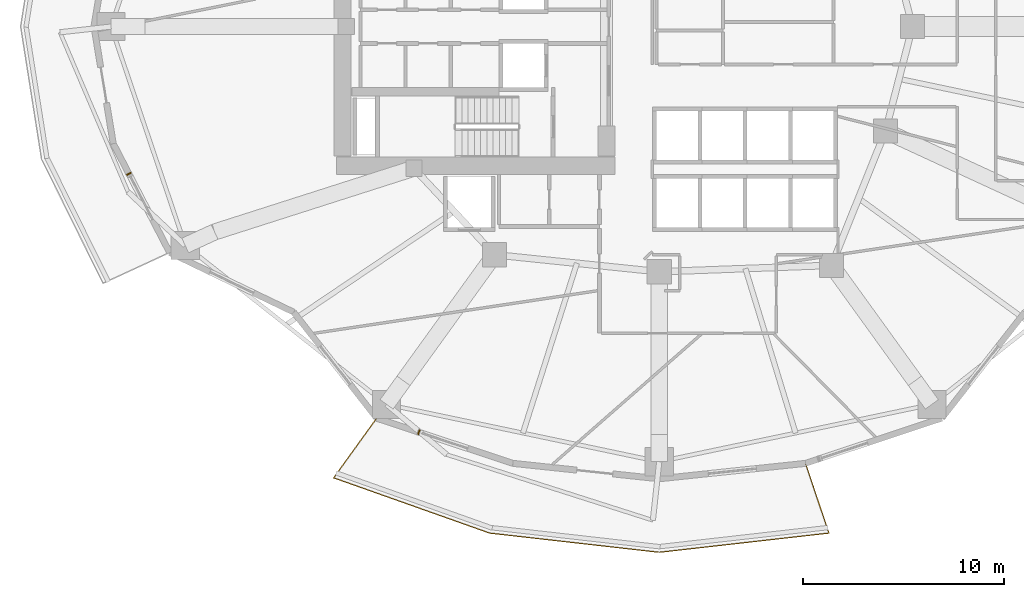
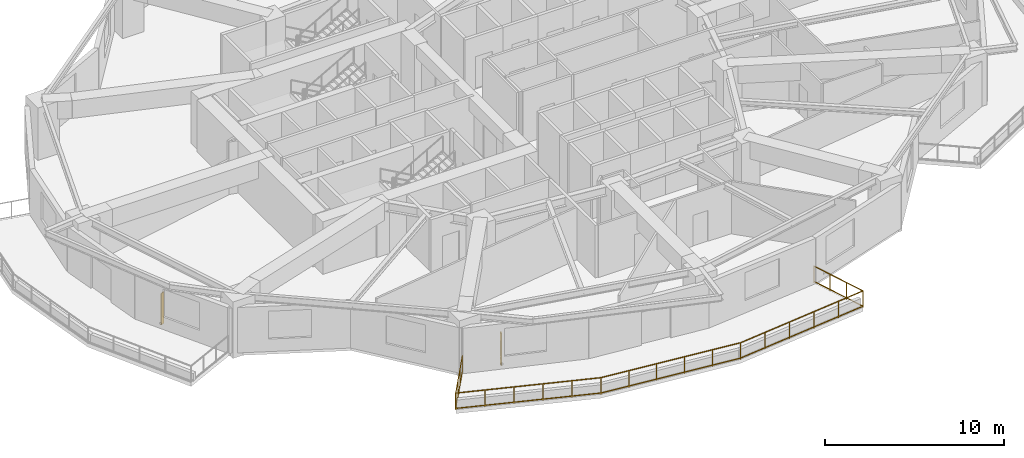
# One storey, part 9 of 13: 2 shading devices, 1 railing.
"""IFC4 building model written with IfcOpenShell, lengths in metres."""

from ifc_helpers import new_model, si_unit, direction, frame, origin, origin_2d, place, context, subcontext, project, spatial, rectangle, extrude, material, type_object, element, save


model = new_model("IFC4")

# Units and contexts
model_context = context("Model", 3, precision=1e-05, world=origin(), true_north=direction((0.0, 1.0)))
body_context = subcontext(model_context, "Body", "Model", "MODEL_VIEW")
ifc_project = project(units=[si_unit("LENGTHUNIT", "METRE"), si_unit("AREAUNIT", "SQUARE_METRE"), si_unit("VOLUMEUNIT", "CUBIC_METRE"), si_unit("PLANEANGLEUNIT", "RADIAN"), si_unit("MASSUNIT", "GRAM", prefix="KILO")], contexts=[model_context])

# Site, building, storey
site_placement = place(None, origin())
site = spatial("IfcSite", under=ifc_project, at=site_placement, CompositionType="ELEMENT")
building_placement = place(site_placement, origin())
building = spatial("IfcBuilding", under=site, at=building_placement, Name="Kolvaren Gate Tower and Convention Centre", CompositionType="ELEMENT")
storey_placement = place(building_placement, frame((0.0, 0.0, 49.60009765625)))
storey = spatial("IfcBuildingStorey", under=building, at=storey_placement, Name="L11", CompositionType="ELEMENT", Elevation=49.60009765625)

# Railing
ifc_material_1 = material(Name="Brushed Stainless Steel Grade 316L", Category="steel")
railing_type = type_object("IfcRailingType", Name="ARCH-RL-GUARD-1150", PredefinedType="GUARDRAIL", material=ifc_material_1)
railing_placement = place(storey_placement, frame((16.0625, 7.514404296875, 0.0)))
element("IfcRailing", 1, at=railing_placement, inside=storey, type_object=railing_type, Name="Tower L11 Terrace Perimeter Guardrail GR-3", PredefinedType="GUARDRAIL", context=body_context, shape_type="SweptSolid", body=[
    extrude(rectangle(XDim=0.048095703125, YDim=0.048095703125, at=origin_2d()), frame((-0.016357421875, -0.022705078125, 1.1259765625), z_axis=(-0.585212870465, -0.810879705161, 0.0), x_axis=(0.810879705161, -0.585212870465, 0.0)), (0.0, 0.0, 1.0), 3.603759765625),
    extrude(rectangle(XDim=0.048095703125, YDim=0.048095703125, at=origin_2d()), frame((-0.016357421875, -0.022705078125, 0.083984375), z_axis=(-0.585212870465, -0.810879705161, 0.0), x_axis=(0.810879705161, -0.585212870465, 0.0)), (0.0, 0.0, 1.0), 3.603759765625),
    extrude(rectangle(XDim=0.048095703125, YDim=0.048095703125, at=origin_2d()), frame((-2.115478515625, -2.97705078125, 1.1259765625), z_axis=(0.942581348797, -0.333976647237, 0.0), x_axis=(0.333976647237, 0.942581348797, 0.0)), (0.0, 0.0, 1.0), 8.179443359375),
    extrude(rectangle(XDim=0.048095703125, YDim=0.048095703125, at=origin_2d()), frame((-2.115478515625, -2.97705078125, 0.083984375), z_axis=(0.942581348797, -0.333976647237, 0.0), x_axis=(0.333976647237, 0.942581348797, 0.0)), (0.0, 0.0, 1.0), 8.179443359375),
    extrude(rectangle(XDim=0.048095703125, YDim=0.048095703125, at=origin_2d()), frame((5.648681640625, -5.721435546875, 1.1259765625), z_axis=(0.99364775515, -0.11253505536, 0.0), x_axis=(0.11253505536, 0.99364775515, 0.0)), (0.0, 0.0, 1.0), 8.439453125),
    extrude(rectangle(XDim=0.048095703125, YDim=0.048095703125, at=origin_2d()), frame((5.648681640625, -5.721435546875, 0.083984375), z_axis=(0.99364775515, -0.11253505536, 0.0), x_axis=(0.11253505536, 0.99364775515, 0.0)), (0.0, 0.0, 1.0), 8.439453125),
    extrude(rectangle(XDim=0.048095703125, YDim=0.048095703125, at=origin_2d()), frame((14.09033203125, -6.671142578125, 1.1259765625), z_axis=(0.99364775515, 0.11253505536, 0.0), x_axis=(-0.11253505536, 0.99364775515, 0.0)), (0.0, 0.0, 1.0), 8.439453125),
    extrude(rectangle(XDim=0.048095703125, YDim=0.048095703125, at=origin_2d()), frame((14.09033203125, -6.671142578125, 0.083984375), z_axis=(0.99364775515, 0.11253505536, 0.0), x_axis=(-0.11253505536, 0.99364775515, 0.0)), (0.0, 0.0, 1.0), 8.439453125),
    extrude(rectangle(XDim=0.048095703125, YDim=0.048095703125, at=origin_2d()), frame((22.495361328125, -5.691650390625, 1.1259765625), z_axis=(-0.317588247294, 0.948228719867, 0.0), x_axis=(-0.948228719867, -0.317588247294, 0.0)), (0.0, 0.0, 1.0), 3.603759765625),
    extrude(rectangle(XDim=0.048095703125, YDim=0.048095703125, at=origin_2d()), frame((22.495361328125, -5.691650390625, 0.083984375), z_axis=(-0.317588247294, 0.948228719867, 0.0), x_axis=(-0.948228719867, -0.317588247294, 0.0)), (0.0, 0.0, 1.0), 3.603759765625),
    extrude(rectangle(XDim=0.0419921875, YDim=0.0419921875, at=origin_2d()), origin(), (0.0, 0.0, 1.0), 1.14990234375),
    extrude(rectangle(XDim=0.0419921875, YDim=0.0419921875, at=origin_2d()), frame((-2.141845703125, -2.9677734375, 0.0)), (0.0, 0.0, 1.0), 1.14990234375),
    extrude(rectangle(XDim=0.0419921875, YDim=0.0419921875, at=origin_2d()), frame((-0.7138671875, -0.9892578125, 0.0)), (0.0, 0.0, 1.0), 1.099853515625),
    extrude(rectangle(XDim=0.0419921875, YDim=0.0419921875, at=origin_2d()), frame((-1.427978515625, -1.978515625, 0.0)), (0.0, 0.0, 1.0), 1.099853515625),
    extrude(rectangle(XDim=0.0419921875, YDim=0.0419921875, at=origin_2d()), frame((5.620849609375, -5.71826171875, 0.0)), (0.0, 0.0, 1.0), 1.14990234375),
    extrude(rectangle(XDim=0.0419921875, YDim=0.0419921875, at=origin_2d()), frame((-0.58935546875, -3.517822265625, 0.0)), (0.0, 0.0, 1.0), 1.099853515625),
    extrude(rectangle(XDim=0.0419921875, YDim=0.0419921875, at=origin_2d()), frame((0.963134765625, -4.06787109375, 0.0)), (0.0, 0.0, 1.0), 1.099853515625),
    extrude(rectangle(XDim=0.0419921875, YDim=0.0419921875, at=origin_2d()), frame((2.515869140625, -4.6181640625, 0.0)), (0.0, 0.0, 1.0), 1.099853515625),
    extrude(rectangle(XDim=0.0419921875, YDim=0.0419921875, at=origin_2d()), frame((4.068359375, -5.168212890625, 0.0)), (0.0, 0.0, 1.0), 1.099853515625),
    extrude(rectangle(XDim=0.0419921875, YDim=0.0419921875, at=origin_2d()), frame((14.0625, -6.67431640625, 0.0)), (0.0, 0.0, 1.0), 1.14990234375),
    extrude(rectangle(XDim=0.0419921875, YDim=0.0419921875, at=origin_2d()), frame((7.30908203125, -5.909423828125, 0.0)), (0.0, 0.0, 1.0), 1.099853515625),
    extrude(rectangle(XDim=0.0419921875, YDim=0.0419921875, at=origin_2d()), frame((8.99755859375, -6.1005859375, 0.0)), (0.0, 0.0, 1.0), 1.099853515625),
    extrude(rectangle(XDim=0.0419921875, YDim=0.0419921875, at=origin_2d()), frame((10.685791015625, -6.2919921875, 0.0)), (0.0, 0.0, 1.0), 1.099853515625),
    extrude(rectangle(XDim=0.0419921875, YDim=0.0419921875, at=origin_2d()), frame((12.374267578125, -6.483154296875, 0.0)), (0.0, 0.0, 1.0), 1.099853515625),
    extrude(rectangle(XDim=0.0419921875, YDim=0.0419921875, at=origin_2d()), frame((22.504150390625, -5.71826171875, 0.0)), (0.0, 0.0, 1.0), 1.14990234375),
    extrude(rectangle(XDim=0.0419921875, YDim=0.0419921875, at=origin_2d()), frame((15.750732421875, -6.483154296875, 0.0)), (0.0, 0.0, 1.0), 1.099853515625),
    extrude(rectangle(XDim=0.0419921875, YDim=0.0419921875, at=origin_2d()), frame((17.439208984375, -6.2919921875, 0.0)), (0.0, 0.0, 1.0), 1.099853515625),
    extrude(rectangle(XDim=0.0419921875, YDim=0.0419921875, at=origin_2d()), frame((19.12744140625, -6.1005859375, 0.0)), (0.0, 0.0, 1.0), 1.099853515625),
    extrude(rectangle(XDim=0.0419921875, YDim=0.0419921875, at=origin_2d()), frame((20.81591796875, -5.909423828125, 0.0)), (0.0, 0.0, 1.0), 1.099853515625),
    extrude(rectangle(XDim=0.0419921875, YDim=0.0419921875, at=origin_2d()), frame((21.341796875, -2.247802734375, 0.0)), (0.0, 0.0, 1.0), 1.14990234375),
    extrude(rectangle(XDim=0.0419921875, YDim=0.0419921875, at=origin_2d()), frame((22.11669921875, -4.5615234375, 0.0)), (0.0, 0.0, 1.0), 1.099853515625),
    extrude(rectangle(XDim=0.0419921875, YDim=0.0419921875, at=origin_2d()), frame((21.729248046875, -3.404541015625, 0.0)), (0.0, 0.0, 1.0), 1.099853515625),
])

# Shading devices
ifc_material_2 = material(Name="Kiln-Fired Bogota Terracotta Ceramic Louvre Profile", Category="masonry")
shading_device_type = type_object("IfcShadingDeviceType", Name="ARCH-SHD-FIN-180", PredefinedType="JALOUSIE", material=ifc_material_2)
for number, where, z_axis, x_axis, name in (
    (2, (3.737548828125, 19.67138671875, 0.219970703125), (0.0, 0.0, 1.0), (0.459789110083, -0.888028138208, 0.0), "Ceramic Vertical Brise-Soleil Fin FN-L11-13"),
    (3, (18.1630859375, 6.818359375, 0.219970703125), (0.0, 0.0, 1.0), (0.949242826568, -0.314544203905, 0.0), "Ceramic Vertical Brise-Soleil Fin FN-L11-16"),
):
    element("IfcShadingDevice", number, at=place(storey_placement, frame(where, z_axis=z_axis, x_axis=x_axis)), inside=storey, type_object=shading_device_type, Name=name, PredefinedType="JALOUSIE", context=body_context, shape_type="SweptSolid", body=[
        extrude(rectangle(XDim=0.06005859375, YDim=0.239990234375, at=origin_2d()), origin(), (0.0, 0.0, 1.0), 2.14990234375),
    ])

save(model, "model.ifc")
